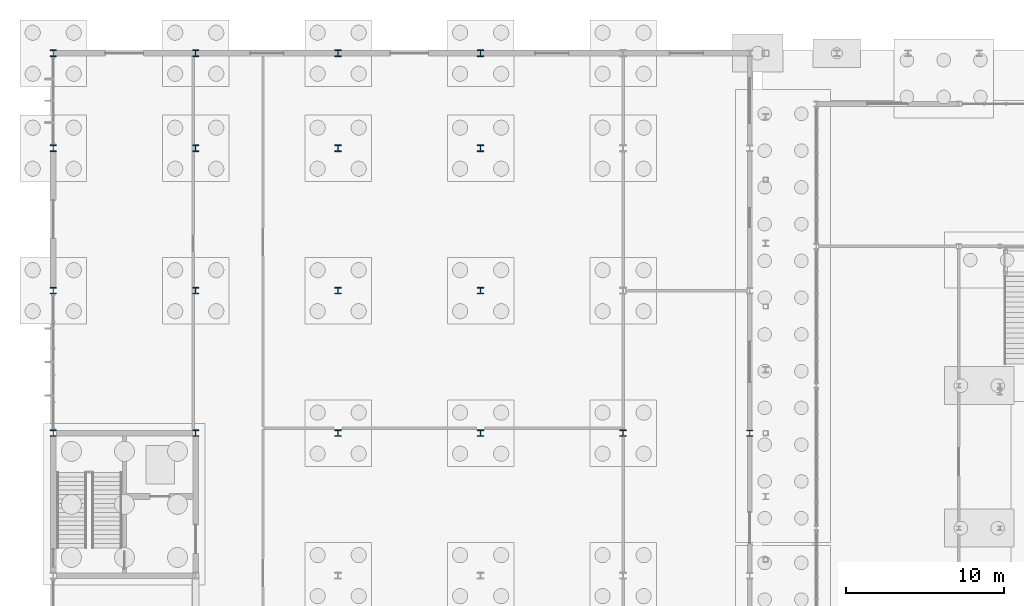
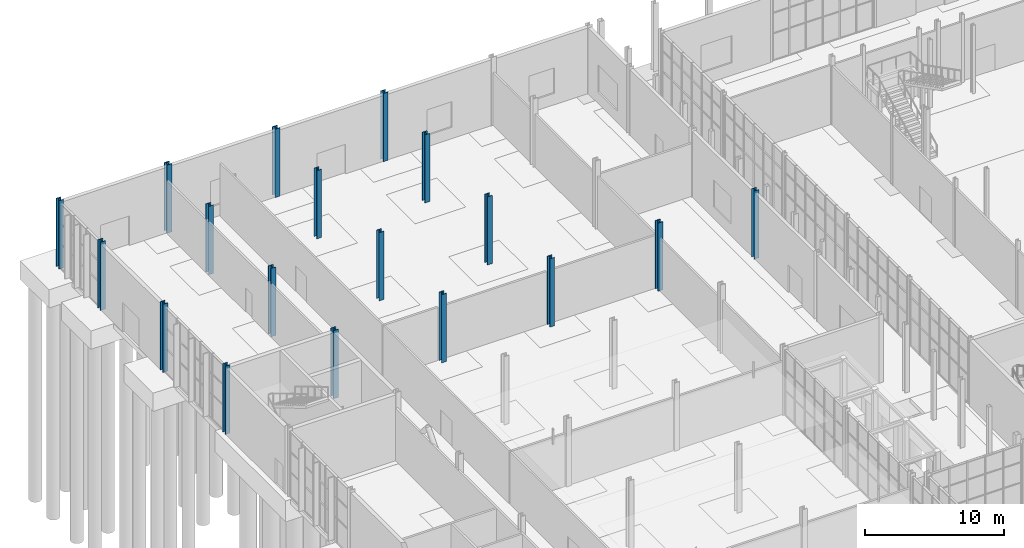
# One storey, part 19 of 131: 18 columns.
"""IFC4 building model written with IfcOpenShell, lengths in metres."""

from ifc_helpers import new_model, si_unit, direction, frame, origin, origin_2d, place, context, subcontext, project, spatial, i_section, extrude, material, material_profile, profile_set, type_object, element, save


model = new_model("IFC4")

# Units and contexts
model_context = context("Model", 3, precision=1e-05, world=origin(), true_north=direction((0.0, 1.0)))
body_context = subcontext(model_context, "Body", "Model", "MODEL_VIEW")
ifc_project = project(units=[si_unit("LENGTHUNIT", "METRE"), si_unit("AREAUNIT", "SQUARE_METRE"), si_unit("VOLUMEUNIT", "CUBIC_METRE"), si_unit("PLANEANGLEUNIT", "RADIAN"), si_unit("MASSUNIT", "GRAM", prefix="KILO")], contexts=[model_context])

# Site, building, storey
site_placement = place(None, origin())
site = spatial("IfcSite", under=ifc_project, at=site_placement, CompositionType="ELEMENT")
building_placement = place(site_placement, origin())
building = spatial("IfcBuilding", under=site, at=building_placement, Name="Cazmaro Siding Exhibition Halls", CompositionType="ELEMENT")
storey_placement = place(building_placement, origin())
storey = spatial("IfcBuildingStorey", under=building, at=storey_placement, Name="L00", CompositionType="ELEMENT", Elevation=0.0)

# Columns
ifc_material_1 = material(Name="Steel ASTM A992 Grade 50", Category="steel")
ifc_material_profile_1 = material_profile(ifc_material_1, i_section(OverallWidth=0.406005859375, OverallDepth=0.416015625, WebThickness=0.030029296875, FlangeThickness=0.048095703125, at=origin_2d()), Name="W14X257")
ifc_profile_set_1 = profile_set([ifc_material_profile_1], Name="Steel ASTM A992 Grade 50")
column_type_1 = type_object("IfcColumnType", Name="C-01", PredefinedType="COLUMN", material=ifc_profile_set_1)
for number, where, z_axis, x_axis, name in (
    (1, (0.0, 100.0, 0.0), (0.0, 0.0, 1.0), (1.0, 0.0, 0.0), "Column C-01 COL-0906"),
    (2, (0.0, 109.0, 0.0), (0.0, 0.0, 1.0), (1.0, 0.0, 0.0), "Column C-01 COL-0911"),
    (3, (0.0, 118.0, 0.0), (0.0, 0.0, 1.0), (1.0, 0.0, 0.0), "Column C-01 COL-0915"),
    (4, (0.0, 124.0, 0.0), (0.0, 0.0, 1.0), (1.0, 0.0, 0.0), "Column C-01 COL-0918"),
    (5, (9.0, 100.0, 0.0), (0.0, 0.0, 1.0), (1.0, 0.0, 0.0), "Column C-01 COL-0946"),
    (6, (9.0, 109.0, 0.0), (0.0, 0.0, 1.0), (1.0, 0.0, 0.0), "Column C-01 COL-0951"),
    (7, (9.0, 118.0, 0.0), (0.0, 0.0, 1.0), (1.0, 0.0, 0.0), "Column C-01 COL-0955"),
    (8, (9.0, 124.0, 0.0), (0.0, 0.0, 1.0), (1.0, 0.0, 0.0), "Column C-01 COL-0958"),
    (9, (18.0, 100.0, 0.0), (0.0, 0.0, 1.0), (1.0, 0.0, 0.0), "Column C-01 COL-0986"),
    (10, (18.0, 109.0, 0.0), (0.0, 0.0, 1.0), (1.0, 0.0, 0.0), "Column C-01 COL-0991"),
    (11, (18.0, 118.0, 0.0), (0.0, 0.0, 1.0), (1.0, 0.0, 0.0), "Column C-01 COL-0995"),
    (12, (18.0, 124.0, 0.0), (0.0, 0.0, 1.0), (1.0, 0.0, 0.0), "Column C-01 COL-0998"),
    (13, (27.0, 100.0, 0.0), (0.0, 0.0, 1.0), (1.0, 0.0, 0.0), "Column C-01 COL-1026"),
    (14, (27.0, 109.0, 0.0), (0.0, 0.0, 1.0), (1.0, 0.0, 0.0), "Column C-01 COL-1031"),
    (15, (27.0, 118.0, 0.0), (0.0, 0.0, 1.0), (1.0, 0.0, 0.0), "Column C-01 COL-1035"),
    (16, (27.0, 124.0, 0.0), (0.0, 0.0, 1.0), (1.0, 0.0, 0.0), "Column C-01 COL-1038"),
    (17, (36.0, 100.0, 0.0), (0.0, 0.0, 1.0), (1.0, 0.0, 0.0), "Column C-01 COL-1061"),
):
    element("IfcColumn", number, at=place(storey_placement, frame(where, z_axis=z_axis, x_axis=x_axis)), inside=storey, type_object=column_type_1, Name=name, PredefinedType="COLUMN", context=body_context, shape_type="SweptSolid", body=[
        extrude(i_section(OverallWidth=0.406005859375, OverallDepth=0.416015625, WebThickness=0.030029296875, FlangeThickness=0.048095703125, at=origin_2d()), origin(), (0.0, 0.0, 1.0), 6.0),
    ])
ifc_material_2 = material(Name="Steel ASTM A992 Grade 50", Category="steel")
ifc_material_profile_2 = material_profile(ifc_material_2, i_section(OverallWidth=0.39208984375, OverallDepth=0.3759765625, WebThickness=0.01708984375, FlangeThickness=0.028076171875, at=origin_2d()), Name="W14X145")
ifc_profile_set_2 = profile_set([ifc_material_profile_2], Name="Steel ASTM A992 Grade 50")
column_type_2 = type_object("IfcColumnType", Name="C-03", PredefinedType="COLUMN", material=ifc_profile_set_2)
column_placement = place(storey_placement, frame((44.0, 100.0, 0.0), z_axis=(0.0, 0.0, 1.0), x_axis=(1.0, 0.0, 0.0)))
element("IfcColumn", 18, at=column_placement, inside=storey, type_object=column_type_2, Name="Column C-03 COL-1085", PredefinedType="COLUMN", context=body_context, shape_type="SweptSolid", body=[
    extrude(i_section(OverallWidth=0.39208984375, OverallDepth=0.3759765625, WebThickness=0.01708984375, FlangeThickness=0.028076171875, at=origin_2d()), origin(), (0.0, 0.0, 1.0), 6.0),
])

save(model, "model.ifc")
